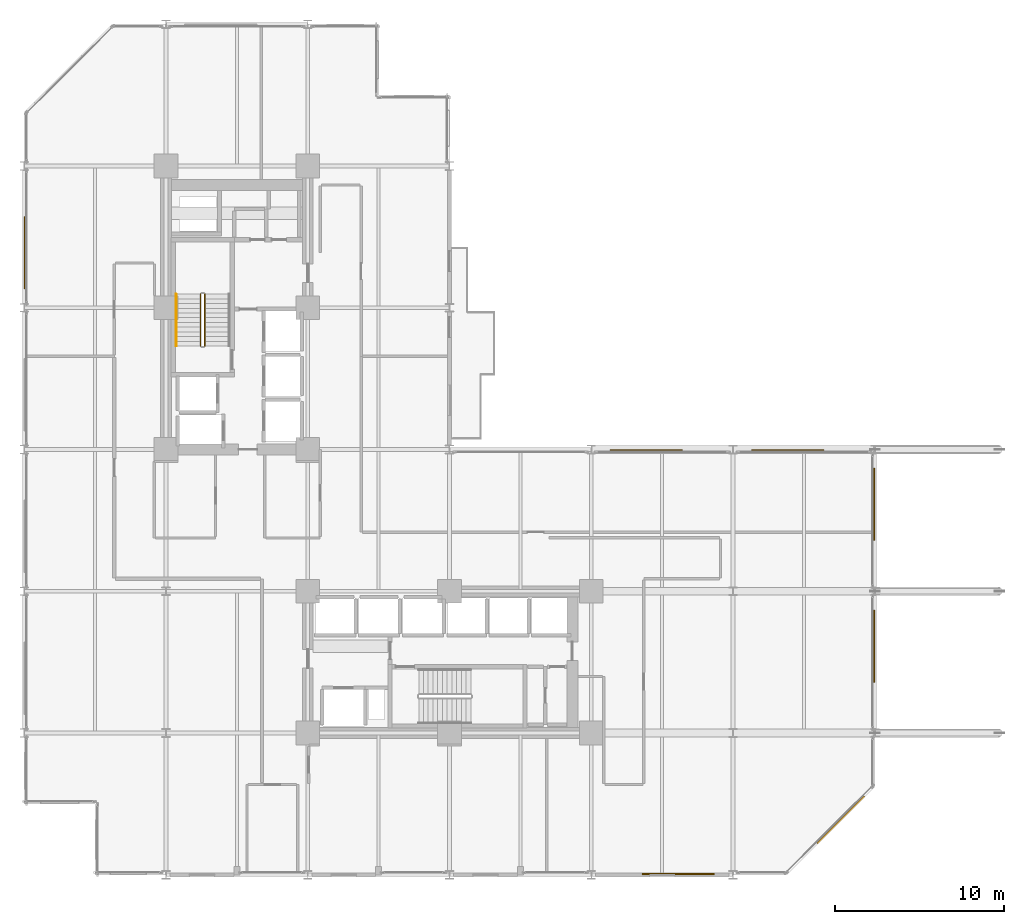
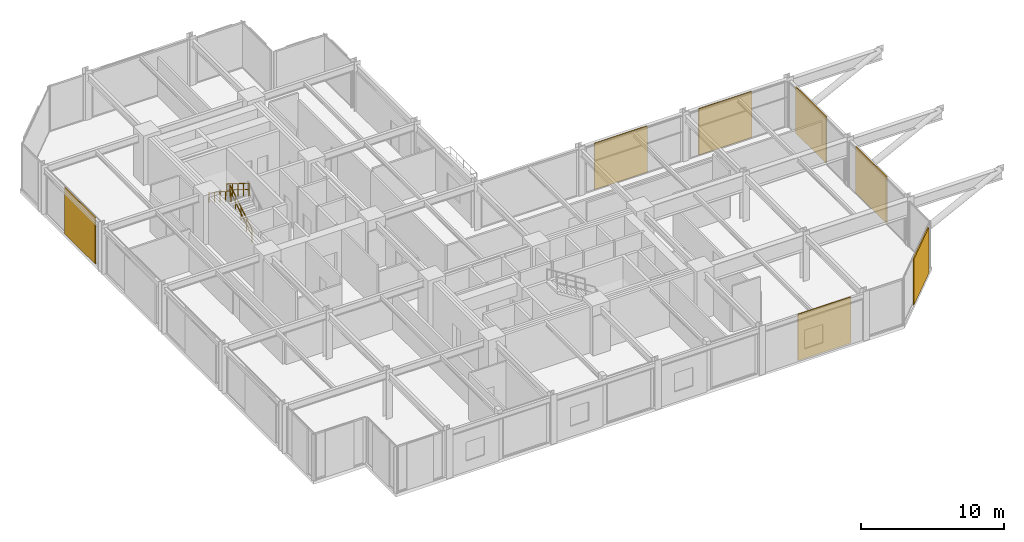
# One storey, part 24 of 25: 7 coverings, 3 railings.
"""IFC4 building model written with IfcOpenShell, lengths in metres."""

from ifc_helpers import new_model, si_unit, direction, frame, origin, origin_2d, place, context, subcontext, project, spatial, rectangle, circle, extrude, material, layer, layer_set, type_object, element, save


model = new_model("IFC4")

# Units and contexts
model_context = context("Model", 3, precision=1e-05, world=origin(), true_north=direction((0.0, 1.0)))
body_context = subcontext(model_context, "Body", "Model", "MODEL_VIEW")
ifc_project = project(units=[si_unit("LENGTHUNIT", "METRE"), si_unit("AREAUNIT", "SQUARE_METRE"), si_unit("VOLUMEUNIT", "CUBIC_METRE"), si_unit("PLANEANGLEUNIT", "RADIAN"), si_unit("MASSUNIT", "GRAM", prefix="KILO")], contexts=[model_context])

# Site, building, storey
site_placement = place(None, origin())
site = spatial("IfcSite", under=ifc_project, at=site_placement, CompositionType="ELEMENT")
building_placement = place(site_placement, origin())
building = spatial("IfcBuilding", under=site, at=building_placement, Name="Nerrivon Quay Data Exchange", CompositionType="ELEMENT")
storey_placement = place(building_placement, frame((0.0, 0.0, 58.39990234375)))
storey = spatial("IfcBuildingStorey", under=building, at=storey_placement, Name="L13", CompositionType="ELEMENT", Elevation=58.39990234375)

# Coverings
ifc_material_1 = material(Name="Architectural terracotta ceramic", Category="masonry")
ifc_layer = layer(ifc_material_1, 0.090087890625)
ifc_layer_set = layer_set([ifc_layer], Name="Architectural terracotta ceramic")
covering_type = type_object("IfcCoveringType", Name="COV-SCR-TERR", PredefinedType="CLADDING", material=ifc_layer_set)
covering_placement = place(storey_placement, frame((48.39208984375, 3.255859375, 0.0), z_axis=(0.0, 0.0, 1.0), x_axis=(-0.707106781187, -0.707106781187, 0.0)))
element("IfcCovering", 1, at=covering_placement, inside=storey, type_object=covering_type, Name="L13 Perforated Terracotta SOLAR SCREEN Cassette", PredefinedType="CLADDING", context=body_context, shape_type="SweptSolid", body=[
    extrude(rectangle(XDim=3.970947265625, YDim=0.090087890625, at=origin_2d()), origin(), (0.0, 0.0, 1.0), 3.925048828125),
])
for number, where, z_axis, x_axis, name in (
    (2, (38.748046875, 0.044921875, 0.0), (0.0, 0.0, 1.0), (-1.0, 0.0, 0.0), "L13 Perforated Terracotta SOLAR SCREEN Cassette"),
    (3, (0.044921875, 36.85205078125, 0.0), (0.0, 0.0, 1.0), (0.0, 1.0, 0.0), "L13 Perforated Terracotta SOLAR SCREEN Cassette"),
    (4, (36.85205078125, 25.155029296875, 0.0), (0.0, 0.0, 1.0), (1.0, 0.0, 0.0), "L13 Perforated Terracotta SOLAR SCREEN Cassette"),
    (5, (45.251953125, 25.155029296875, 0.0), (0.0, 0.0, 1.0), (1.0, 0.0, 0.0), "L13 Perforated Terracotta SOLAR SCREEN Cassette"),
    (6, (50.35498046875, 21.947998046875, 0.0), (0.0, 0.0, 1.0), (0.0, -1.0, 0.0), "L13 Perforated Terracotta SOLAR SCREEN Cassette"),
    (7, (50.35498046875, 13.548095703125, 0.0), (0.0, 0.0, 1.0), (0.0, -1.0, 0.0), "L13 Perforated Terracotta SOLAR SCREEN Cassette"),
):
    element("IfcCovering", number, at=place(storey_placement, frame(where, z_axis=z_axis, x_axis=x_axis)), inside=storey, type_object=covering_type, Name=name, PredefinedType="CLADDING", context=body_context, shape_type="SweptSolid", body=[
        extrude(rectangle(XDim=4.26611328125, YDim=0.090087890625, at=origin_2d()), origin(), (0.0, 0.0, 1.0), 3.925048828125),
    ])

# Railings
ifc_material_2 = material(Name="Steel Grade C350L0 (350 MPa)", Category="steel")
railing_type_1 = type_object("IfcRailingType", Name="RAIL-HAND-HR1", PredefinedType="HANDRAIL", material=ifc_material_2)
railing_1_placement = place(storey_placement, frame((9.0, 34.409912109375, 2.275146484375)))
element("IfcRailing", 8, at=railing_1_placement, inside=storey, type_object=railing_type_1, Name="L13 ST01 stair handrail 2", PredefinedType="HANDRAIL", context=body_context, shape_type="SweptSolid", body=[
    extrude(circle(Radius=0.02392578125, at=origin_2d()), frame((0.0, 0.0, 0.8759765625), z_axis=(0.0, -0.847979421464, 0.530029150871), x_axis=(1.0, 0.0, 0.0)), (0.0, 0.0, 1.0), 3.632080078125),
    extrude(circle(Radius=0.02099609375, at=origin_2d()), origin(), (0.0, 0.0, 1.0), 0.851806640625),
    extrude(circle(Radius=0.02099609375, at=origin_2d()), frame((0.0, -0.77001953125, 0.481201171875)), (0.0, 0.0, 1.0), 0.851806640625),
    extrude(circle(Radius=0.02099609375, at=origin_2d()), frame((0.0, -1.5400390625, 0.96240234375)), (0.0, 0.0, 1.0), 0.851806640625),
    extrude(circle(Radius=0.02099609375, at=origin_2d()), frame((0.0, -2.309814453125, 1.44384765625)), (0.0, 0.0, 1.0), 0.851806640625),
    extrude(circle(Radius=0.02099609375, at=origin_2d()), frame((0.0, -3.079833984375, 1.925048828125)), (0.0, 0.0, 1.0), 0.851806640625),
])
railing_type_2 = type_object("IfcRailingType", Name="RAIL-STAIR-GR1", PredefinedType="BALUSTRADE", material=ifc_material_2)
railing_2_placement = place(storey_placement, frame((10.699951171875, 31.330078125, 0.175048828125)))
element("IfcRailing", 9, at=railing_2_placement, inside=storey, type_object=railing_type_2, Name="L13 ST01 stair guard 1", PredefinedType="BALUSTRADE", context=body_context, shape_type="SweptSolid", body=[
    extrude(circle(Radius=0.02392578125, at=origin_2d()), frame((0.0, 0.0, 1.076171875), z_axis=(0.0, 0.847979421464, 0.530029150871), x_axis=(-1.0, 0.0, 0.0)), (0.0, 0.0, 1.0), 3.632080078125),
    extrude(circle(Radius=0.02392578125, at=origin_2d()), frame((0.0, 0.0, 0.550048828125), z_axis=(0.0, 0.847979421464, 0.530029150871), x_axis=(-1.0, 0.0, 0.0)), (0.0, 0.0, 1.0), 3.632080078125),
    extrude(circle(Radius=0.02099609375, at=origin_2d()), origin(), (0.0, 0.0, 1.0), 1.052001953125),
    extrude(circle(Radius=0.02099609375, at=origin_2d()), frame((0.0, 0.77001953125, 0.481201171875)), (0.0, 0.0, 1.0), 1.052001953125),
    extrude(circle(Radius=0.02099609375, at=origin_2d()), frame((0.0, 1.5400390625, 0.96240234375)), (0.0, 0.0, 1.0), 1.052001953125),
    extrude(circle(Radius=0.02099609375, at=origin_2d()), frame((0.0, 2.309814453125, 1.44384765625)), (0.0, 0.0, 1.0), 1.052001953125),
    extrude(circle(Radius=0.02099609375, at=origin_2d()), frame((0.0, 3.079833984375, 1.925048828125)), (0.0, 0.0, 1.0), 1.052001953125),
])
railing_3_placement = place(storey_placement, frame((10.449951171875, 34.409912109375, 2.275146484375)))
element("IfcRailing", 10, at=railing_3_placement, inside=storey, type_object=railing_type_2, Name="L13 ST01 stair guard 3", PredefinedType="BALUSTRADE", context=body_context, shape_type="SweptSolid", body=[
    extrude(circle(Radius=0.02392578125, at=origin_2d()), frame((0.0, 0.0, 1.076171875), z_axis=(0.0, -0.847979421464, 0.530029150871), x_axis=(1.0, 0.0, 0.0)), (0.0, 0.0, 1.0), 3.632080078125),
    extrude(circle(Radius=0.02392578125, at=origin_2d()), frame((0.0, 0.0, 0.550048828125), z_axis=(0.0, -0.847979421464, 0.530029150871), x_axis=(1.0, 0.0, 0.0)), (0.0, 0.0, 1.0), 3.632080078125),
    extrude(circle(Radius=0.02099609375, at=origin_2d()), origin(), (0.0, 0.0, 1.0), 1.052001953125),
    extrude(circle(Radius=0.02099609375, at=origin_2d()), frame((0.0, -0.77001953125, 0.481201171875)), (0.0, 0.0, 1.0), 1.052001953125),
    extrude(circle(Radius=0.02099609375, at=origin_2d()), frame((0.0, -1.5400390625, 0.96240234375)), (0.0, 0.0, 1.0), 1.052001953125),
    extrude(circle(Radius=0.02099609375, at=origin_2d()), frame((0.0, -2.309814453125, 1.44384765625)), (0.0, 0.0, 1.0), 1.052001953125),
    extrude(circle(Radius=0.02099609375, at=origin_2d()), frame((0.0, -3.079833984375, 1.925048828125)), (0.0, 0.0, 1.0), 1.052001953125),
])

save(model, "model.ifc")
